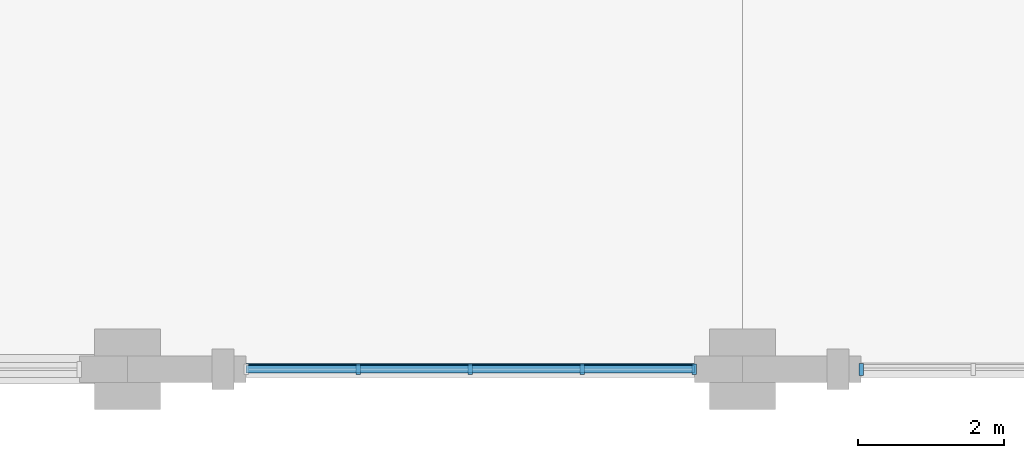
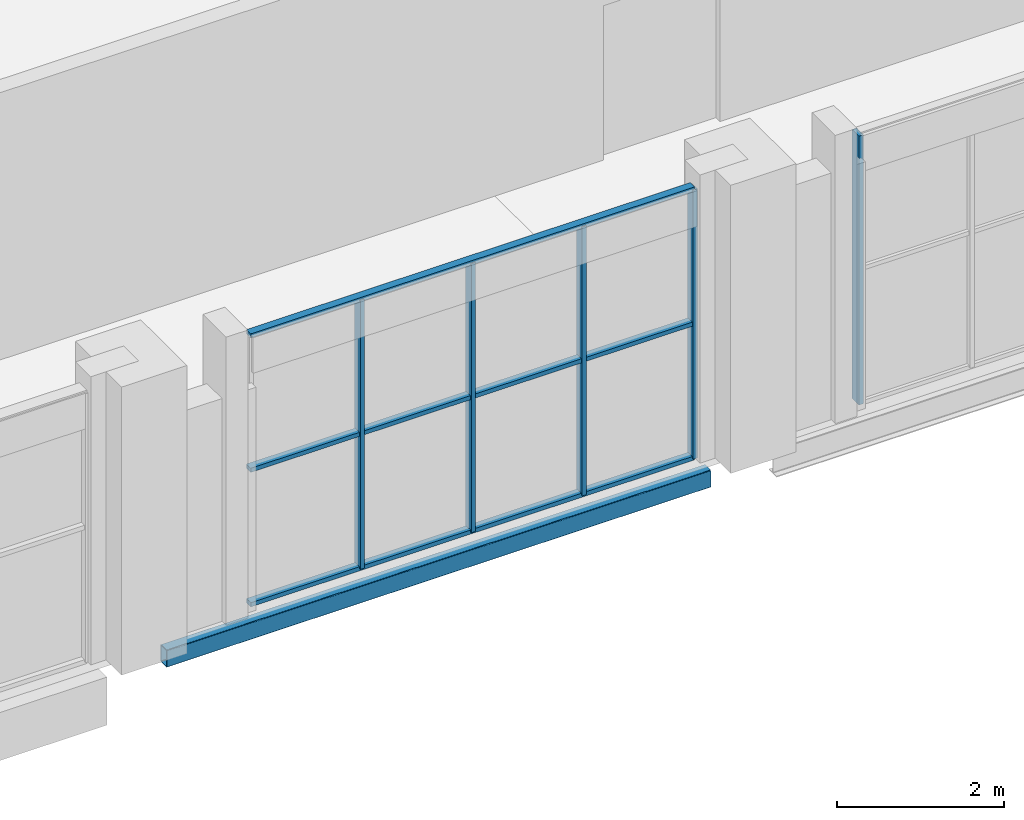
# One storey, part 23 of 64: 8 members, 1 beam, 2 elements without a shape of their own.
"""IFC4 building model written with IfcOpenShell, lengths in metres."""

from ifc_helpers import new_model, si_unit, derived_unit, direction, frame, origin, origin_2d, place, context, subcontext, project, spatial, rectangle, hollow_rectangle, extrude, material, material_profile, profile_set, type_object, element, aggregate, save


model = new_model("IFC4")

# Units and contexts
model_context = context("Model", 3, precision=1e-05, world=origin(), true_north=direction((0.0, 1.0)))
body_context = subcontext(model_context, "Body", "Model", "MODEL_VIEW")
ifc_project = project(units=[si_unit("LENGTHUNIT", "METRE"), si_unit("AREAUNIT", "SQUARE_METRE"), si_unit("VOLUMEUNIT", "CUBIC_METRE"), si_unit("PLANEANGLEUNIT", "RADIAN"), si_unit("MASSUNIT", "GRAM", prefix="KILO"), derived_unit("THERMALTRANSMITTANCEUNIT", [(si_unit("POWERUNIT", "WATT"), 1), (si_unit("LENGTHUNIT", "METRE"), -2), (si_unit("THERMODYNAMICTEMPERATUREUNIT", "KELVIN"), -1)])], contexts=[model_context])

# Site, building, storey
site_placement = place(None, origin())
site = spatial("IfcSite", under=ifc_project, at=site_placement, CompositionType="ELEMENT")
building_placement = place(site_placement, origin())
building = spatial("IfcBuilding", under=site, at=building_placement, Name="Barrovel Congress Hotel", CompositionType="ELEMENT")
storey_placement = place(building_placement, frame((0.0, 0.0, 14.10009765625)))
storey = spatial("IfcBuildingStorey", under=building, at=storey_placement, Name="L03", CompositionType="ELEMENT", Elevation=14.10009765625)

# Curtain wall, members
ifc_material_1 = material(Name="Anodised Aluminium Alloy 6063-T6", Category="aluminium")
curtain_wall_type = type_object("IfcCurtainWallType", Name="CW-ST-7200x3600", PredefinedType="USERDEFINED", material=ifc_material_1)
curtain_wall_1_placement = place(storey_placement, origin())
curtain_wall_1 = element("IfcCurtainWall", 1, at=curtain_wall_1_placement, inside=storey, type_object=curtain_wall_type, Name="CW:L03:S:14", ObjectType="STICK CURTAIN WALL", PredefinedType="USERDEFINED")
ifc_material_profile_1 = material_profile(ifc_material_1, rectangle(XDim=0.06005859375, YDim=0.139892578125, at=origin_2d()), Name="AL-M60x140")
ifc_profile_set_1 = profile_set([ifc_material_profile_1], Name="Anodised Aluminium Alloy 6063-T6")
member_type_1 = type_object("IfcMemberType", Name="CWM-AL-M60x140", PredefinedType="MULLION", material=ifc_profile_set_1)
member_1_placement = place(storey_placement, frame((120.75, 4.199951171875, 0.0), z_axis=(0.0, 0.0, 1.0), x_axis=(1.0, 0.0, 0.0)))
member_1 = element("IfcMember", 2, at=member_1_placement, type_object=member_type_1, Name="CW:L03:S:14:M1", PredefinedType="MULLION", context=body_context, shape_type="SweptSolid", body=[
    extrude(rectangle(XDim=0.06005859375, YDim=0.139892578125, at=origin_2d()), origin(), (0.0, 0.0, 1.0), 3.919921875),
])
member_2_placement = place(storey_placement, frame((122.280029296875, 4.199951171875, 0.0), z_axis=(0.0, 0.0, 1.0), x_axis=(1.0, 0.0, 0.0)))
member_2 = element("IfcMember", 3, at=member_2_placement, type_object=member_type_1, Name="CW:L03:S:14:M2", PredefinedType="MULLION", context=body_context, shape_type="SweptSolid", body=[
    extrude(rectangle(XDim=0.06005859375, YDim=0.139892578125, at=origin_2d()), origin(), (0.0, 0.0, 1.0), 3.919921875),
])
member_3_placement = place(storey_placement, frame((123.81005859375, 4.199951171875, 0.0), z_axis=(0.0, 0.0, 1.0), x_axis=(1.0, 0.0, 0.0)))
member_3 = element("IfcMember", 4, at=member_3_placement, type_object=member_type_1, Name="CW:L03:S:14:M3", PredefinedType="MULLION", context=body_context, shape_type="SweptSolid", body=[
    extrude(rectangle(XDim=0.06005859375, YDim=0.139892578125, at=origin_2d()), origin(), (0.0, 0.0, 1.0), 3.919921875),
])
member_4_placement = place(storey_placement, frame((125.340087890625, 4.199951171875, 0.0), z_axis=(0.0, 0.0, 1.0), x_axis=(1.0, 0.0, 0.0)))
member_4 = element("IfcMember", 5, at=member_4_placement, type_object=member_type_1, Name="CW:L03:S:14:M4", PredefinedType="MULLION", context=body_context, shape_type="SweptSolid", body=[
    extrude(rectangle(XDim=0.06005859375, YDim=0.139892578125, at=origin_2d()), origin(), (0.0, 0.0, 1.0), 3.919921875),
])

# Curtain wall, member
curtain_wall_2_placement = place(storey_placement, origin())
curtain_wall_2 = element("IfcCurtainWall", 6, at=curtain_wall_2_placement, inside=storey, type_object=curtain_wall_type, Name="CW:L03:S:15", ObjectType="STICK CURTAIN WALL", PredefinedType="USERDEFINED")
ifc_material_profile_2 = material_profile(ifc_material_1, rectangle(XDim=0.06005859375, YDim=0.1650390625, at=origin_2d()), Name="AL-M60x165")
ifc_profile_set_2 = profile_set([ifc_material_profile_2], Name="Anodised Aluminium Alloy 6063-T6")
member_type_2 = type_object("IfcMemberType", Name="CWM-AL-M60x165", PredefinedType="MULLION", material=ifc_profile_set_2)
member_5_placement = place(storey_placement, frame((127.6201171875, 4.199951171875, 0.0), z_axis=(0.0, 0.0, 1.0), x_axis=(1.0, 0.0, 0.0)))
member_5 = element("IfcMember", 7, at=member_5_placement, type_object=member_type_2, Name="CW:L03:S:15:M0", PredefinedType="MULLION", context=body_context, shape_type="SweptSolid", body=[
    extrude(rectangle(XDim=0.06005859375, YDim=0.1650390625, at=origin_2d()), origin(), (0.0, 0.0, 1.0), 3.919921875),
])
aggregate(curtain_wall_2, [member_5])

# Member
ifc_material_profile_3 = material_profile(ifc_material_1, rectangle(XDim=0.10498046875, YDim=0.06005859375, at=origin_2d()), Name="AL-T60x105")
ifc_profile_set_3 = profile_set([ifc_material_profile_3], Name="Anodised Aluminium Alloy 6063-T6")
member_type_3 = type_object("IfcMemberType", Name="CWT-AL-T60x105", PredefinedType="USERDEFINED", material=ifc_profile_set_3)
member_6_placement = place(storey_placement, frame((119.219970703125, 4.199951171875, 0.0), z_axis=(1.0, 0.0, 0.0), x_axis=(0.0, 1.0, 0.0)))
member_6 = element("IfcMember", 8, at=member_6_placement, type_object=member_type_3, Name="CW:L03:S:14:T0", ObjectType="TRANSOM", PredefinedType="USERDEFINED", context=body_context, shape_type="SweptSolid", body=[
    extrude(rectangle(XDim=0.10498046875, YDim=0.06005859375, at=origin_2d()), origin(), (0.0, 0.0, 1.0), 6.1201171875),
])

member_7_placement = place(storey_placement, frame((119.219970703125, 4.199951171875, 1.9599609375), z_axis=(1.0, 0.0, 0.0), x_axis=(0.0, 1.0, 0.0)))
member_7 = element("IfcMember", 9, at=member_7_placement, type_object=member_type_3, Name="CW:L03:S:14:T1", ObjectType="TRANSOM", PredefinedType="USERDEFINED", context=body_context, shape_type="SweptSolid", body=[
    extrude(rectangle(XDim=0.10498046875, YDim=0.06005859375, at=origin_2d()), origin(), (0.0, 0.0, 1.0), 6.1201171875),
])

member_8_placement = place(storey_placement, frame((119.219970703125, 4.199951171875, 3.919921875), z_axis=(1.0, 0.0, 0.0), x_axis=(0.0, 1.0, 0.0)))
member_8 = element("IfcMember", 10, at=member_8_placement, type_object=member_type_3, Name="CW:L03:S:14:T2", ObjectType="TRANSOM", PredefinedType="USERDEFINED", context=body_context, shape_type="SweptSolid", body=[
    extrude(rectangle(XDim=0.10498046875, YDim=0.06005859375, at=origin_2d()), origin(), (0.0, 0.0, 1.0), 6.1201171875),
])

aggregate(curtain_wall_1, [member_1, member_2, member_3, member_4, member_6, member_7, member_8])

# Beam
ifc_material_2 = material(Name="Steel ASTM A500 Grade C", Category="steel")
ifc_material_profile_4 = material_profile(ifc_material_2, hollow_rectangle(XDim=0.15234375, YDim=0.25390625, WallThickness=0.0087890625, InnerFilletRadius=0.0087890625, OuterFilletRadius=0.017578125, at=origin_2d()), Name="HSS254x152x9.5")
ifc_profile_set_4 = profile_set([ifc_material_profile_4], Name="Steel ASTM A500 Grade C")
beam_type = type_object("IfcBeamType", Name="SBM-HSS254x152x9.5", PredefinedType="SPANDREL", material=ifc_profile_set_4)
beam_placement = place(storey_placement, frame((118.050048828125, 4.199951171875, -0.3671875), z_axis=(1.0, 0.0, 0.0), x_axis=(0.0, 1.0, 0.0)))
element("IfcBeam", 11, at=beam_placement, inside=storey, type_object=beam_type, Name="BMX:L03:4.2:117.6-126.0", PredefinedType="SPANDREL", context=body_context, shape_type="SweptSolid", body=[
    extrude(hollow_rectangle(XDim=0.15234375, YDim=0.25390625, WallThickness=0.0087890625, InnerFilletRadius=0.0087890625, OuterFilletRadius=0.017578125, at=origin_2d()), origin(), (0.0, 0.0, 1.0), 7.5),
])

save(model, "model.ifc")
